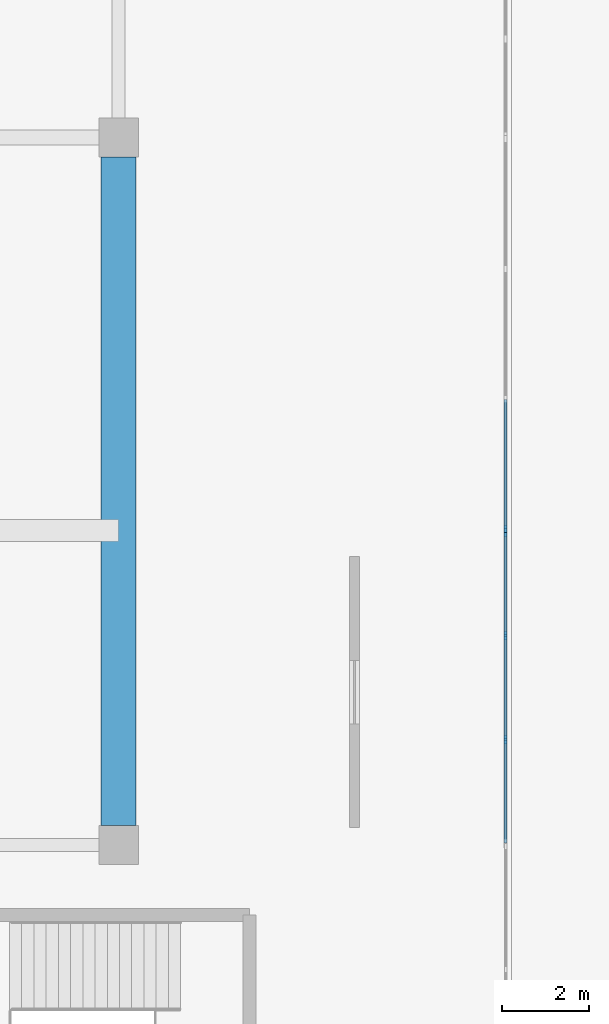
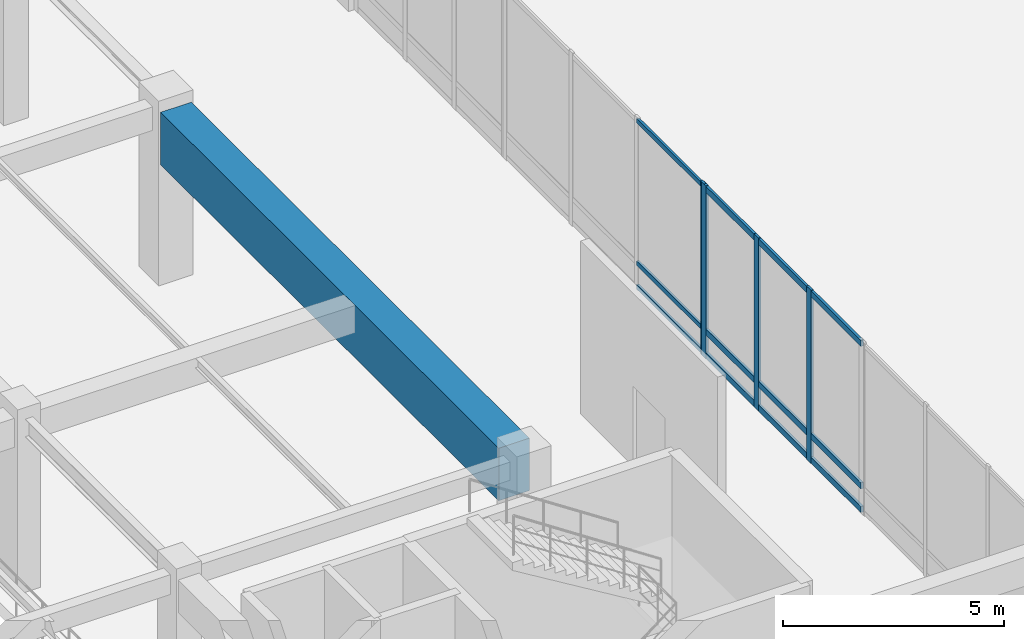
# One storey, part 10 of 64: 16 members, 1 beam, 2 elements without a shape of their own.
"""IFC4 building model written with IfcOpenShell, lengths in metres."""

import ifcopenshell
import ifcopenshell.guid

model = None  # the IFC model being written
_history = None  # IfcOwnerHistory: only IFC2X3 demands one
_inside = {}  # id of a spatial element -> (the spatial element, [elements in it])
_under = {}  # id of a project, library or spatial element -> (it, [spatial elements below it])
_declared = {}  # id of a project -> (the project, [libraries it declares])
_typed = {}  # id of a type object -> (the type object, [elements of that type])
_made_of = {}  # id of a material, layer set ... -> (it, [elements and type objects made of it])


def new_model(schema):
    """Start an empty IFC model of exactly this schema.

    Asked for "IFC4X3", IfcOpenShell would pick the latest addendum, in which some entities
    have other attributes; the version numbers below select the first issue.
    IFC2X3 requires an IfcOwnerHistory on every rooted entity: one is made here for all.
    """
    global model, _history
    if schema == "IFC4X3":
        model = ifcopenshell.file(schema_version=(4, 3, 0, 0))
    else:
        model = ifcopenshell.file(schema=schema)
    _inside.clear()
    _under.clear()
    _declared.clear()
    _typed.clear()
    _made_of.clear()
    _history = None
    if model.schema == "IFC2X3":
        org = make("IfcOrganization", Name="unknown")
        user = make(
            "IfcPersonAndOrganization",
            ThePerson=make("IfcPerson", FamilyName="unknown"),
            TheOrganization=org,
        )
        app = make(
            "IfcApplication",
            ApplicationDeveloper=org,
            Version="unknown",
            ApplicationFullName="unknown",
            ApplicationIdentifier="unknown",
        )
        _history = make(
            "IfcOwnerHistory",
            OwningUser=user,
            OwningApplication=app,
            ChangeAction="ADDED",
            CreationDate=0,
        )
    return model


def make(cls, **values):
    """One entity of the class cls with the attributes given. An attribute that is None is left unset."""
    return model.create_entity(
        cls, **{name: value for name, value in values.items() if value is not None}
    )


def rooted(cls, **values):
    """An entity with a GlobalId (a new one), such as an element, a storey or a relation."""
    return make(cls, GlobalId=ifcopenshell.guid.new(), OwnerHistory=_history, **values)


def si_unit(unit_type, name, prefix=None):
    """IfcSIUnit, for example si_unit("LENGTHUNIT", "METRE", prefix="MILLI")."""
    return make("IfcSIUnit", UnitType=unit_type, Prefix=prefix, Name=name)


def assignment(units):
    """IfcUnitAssignment: the units of a project."""
    return None if units is None else make("IfcUnitAssignment", Units=units)


def point(xyz):
    """IfcCartesianPoint."""
    return None if xyz is None else make("IfcCartesianPoint", Coordinates=xyz)


def direction(xyz):
    """IfcDirection."""
    return None if xyz is None else make("IfcDirection", DirectionRatios=xyz)


def frame(location, z_axis=None, x_axis=None):
    """IfcAxis2Placement3D, a coordinate frame: its origin and axes. An axis left out is left unset."""
    return make(
        "IfcAxis2Placement3D",
        Location=point(location),
        Axis=direction(z_axis),
        RefDirection=direction(x_axis),
    )


def frame_2d(location, x_axis=None):
    """IfcAxis2Placement2D, a coordinate frame in the plane: its origin and x axis."""
    return make(
        "IfcAxis2Placement2D", Location=point(location), RefDirection=direction(x_axis)
    )


def origin():
    """The frame at (0, 0, 0) with its axes left unset."""
    return frame((0.0, 0.0, 0.0))


def origin_2d():
    """The frame at (0, 0) in the plane with its x axis left unset."""
    return frame_2d((0.0, 0.0))


def place(relative_to, where):
    """IfcLocalPlacement: puts the frame where relative to a parent placement (None: the world)."""
    return make(
        "IfcLocalPlacement", PlacementRelTo=relative_to, RelativePlacement=where
    )


def context(
    kind, dimensions, precision=None, world=None, true_north=None, identifier=None
):
    """IfcGeometricRepresentationContext, for example the 3D "Model" context."""
    return make(
        "IfcGeometricRepresentationContext",
        ContextIdentifier=identifier,
        ContextType=kind,
        CoordinateSpaceDimension=dimensions,
        Precision=precision,
        WorldCoordinateSystem=world,
        TrueNorth=true_north,
    )


def subcontext(parent, identifier, kind, view, scale=None):
    """IfcGeometricRepresentationSubContext, for example "Body" below "Model"."""
    return make(
        "IfcGeometricRepresentationSubContext",
        ContextIdentifier=identifier,
        ContextType=kind,
        ParentContext=parent,
        TargetScale=scale,
        TargetView=view,
    )


def project(units=None, contexts=None):
    """IfcProject with its units and contexts."""
    return rooted(
        "IfcProject",
        Name="project",
        RepresentationContexts=contexts,
        UnitsInContext=assignment(units),
    )


def spatial(cls, under=None, at=None, **own):
    """A site, building, storey or space (cls), placed at a placement, below another one or the project."""
    s = rooted(cls, ObjectPlacement=at, **own)
    if under is not None:
        _under.setdefault(under.id(), (under, []))[1].append(s)
    return s


def profile(cls, at=None, kind="AREA", **sizes):
    """A parametric profile (cls). Its sizes go by their IFC names, for example OverallWidth=200.0."""
    return make(cls, ProfileType=kind, Position=at, **sizes)


def rectangle(**sizes):
    """IfcRectangleProfileDef."""
    return profile("IfcRectangleProfileDef", **sizes)


def extrude(swept, where, along, depth):
    """IfcExtrudedAreaSolid: the profile swept, set in the frame where, extruded along a direction by depth."""
    return make(
        "IfcExtrudedAreaSolid",
        SweptArea=swept,
        Position=where,
        ExtrudedDirection=direction(along),
        Depth=depth,
    )


def shape(context_of_items, identifier, shape_type, items):
    """IfcShapeRepresentation: the items that make up one representation, for example the "Body"."""
    return make(
        "IfcShapeRepresentation",
        ContextOfItems=context_of_items,
        RepresentationIdentifier=identifier,
        RepresentationType=shape_type,
        Items=items,
    )


def material(Name=None, Category=None):
    """IfcMaterial."""
    return make("IfcMaterial", Name=Name, Category=Category)


def material_profile(
    of_material, cross_section, Name=None, Category=None, Priority=None
):
    """IfcMaterialProfile: a cross section and its material."""
    return make(
        "IfcMaterialProfile",
        Name=Name,
        Material=of_material,
        Profile=cross_section,
        Priority=Priority,
        Category=Category,
    )


def profile_set(profiles, Name=None, composite=None):
    """IfcMaterialProfileSet."""
    return make(
        "IfcMaterialProfileSet",
        Name=Name,
        MaterialProfiles=profiles,
        CompositeProfile=composite,
    )


def made_of(thing, what):
    """Note that an element or type object is made of a material, layer set ...; save() writes the relation."""
    if what is not None:
        _made_of.setdefault(what.id(), (what, []))[1].append(thing)
    return thing


def type_object(cls, material=None, **own):
    """A type object (cls), such as IfcWallType, which elements share."""
    return made_of(rooted(cls, **own), material)


def element(
    cls,
    number,
    at=None,
    inside=None,
    cuts=None,
    type_object=None,
    material=None,
    context=None,
    identifier="Body",
    shape_type=None,
    held_by="IfcProductDefinitionShape",
    body=None,
    shapes=None,
    **own,
):
    """One element of the class cls, such as IfcWall. Its Tag is "e" and its number.

    at: its placement. inside: the storey or other place that contains it. cuts: it is an
    opening in that element (IfcRelVoidsElement). A single representation is given by context,
    identifier, shape_type and body (its items); several are given by shapes. held_by: the class
    of the entity that holds the representations. save() writes the other relations.
    """
    e = rooted(cls, Tag="e%d" % number, ObjectPlacement=at, **own)
    if body is not None:
        shapes = [shape(context, identifier, shape_type, body)]
    if shapes is not None:
        e.Representation = make(held_by, Representations=shapes)
    if inside is not None:
        _inside.setdefault(inside.id(), (inside, []))[1].append(e)
    if cuts is not None:
        rooted(
            "IfcRelVoidsElement", RelatingBuildingElement=cuts, RelatedOpeningElement=e
        )
    if type_object is not None:
        _typed.setdefault(type_object.id(), (type_object, []))[1].append(e)
    return made_of(e, material)


def aggregate(whole, parts):
    """IfcRelAggregates: a whole, such as a stair, and the parts it consists of."""
    return rooted("IfcRelAggregates", RelatingObject=whole, RelatedObjects=parts)


def save(model, path):
    """Write the relations noted so far, then the file.

    IfcRelAggregates (storeys below a building ...), IfcRelContainedInSpatialStructure (elements
    in a storey), IfcRelDefinesByType, IfcRelAssociatesMaterial and IfcRelDeclares: one each for
    every whole, place, type object, material and project.
    """
    for whole, parts in _under.values():
        aggregate(whole, parts)
    for where, things in _inside.values():
        rooted(
            "IfcRelContainedInSpatialStructure",
            RelatedElements=things,
            RelatingStructure=where,
        )
    for kind, things in _typed.values():
        rooted("IfcRelDefinesByType", RelatedObjects=things, RelatingType=kind)
    for what, things in _made_of.values():
        rooted("IfcRelAssociatesMaterial", RelatedObjects=things, RelatingMaterial=what)
    for by, libraries in _declared.values():
        rooted("IfcRelDeclares", RelatingContext=by, RelatedDefinitions=libraries)
    model.write(path)


model = new_model("IFC4")

# Units and contexts
model_context = context("Model", 3, precision=1e-05, world=origin(), true_north=direction((0.0, 1.0)))
body_context = subcontext(model_context, "Body", "Model", "MODEL_VIEW")
ifc_project = project(units=[si_unit("LENGTHUNIT", "METRE"), si_unit("AREAUNIT", "SQUARE_METRE"), si_unit("VOLUMEUNIT", "CUBIC_METRE"), si_unit("PLANEANGLEUNIT", "RADIAN"), si_unit("MASSUNIT", "GRAM", prefix="KILO")], contexts=[model_context])

# Site, building, storey
site_placement = place(None, origin())
site = spatial("IfcSite", under=ifc_project, at=site_placement, CompositionType="ELEMENT")
building_placement = place(site_placement, origin())
building = spatial("IfcBuilding", under=site, at=building_placement, Name="Clarverna Civic Hall", CompositionType="ELEMENT")
storey_placement = place(building_placement, origin())
storey = spatial("IfcBuildingStorey", under=building, at=storey_placement, Name="L00", CompositionType="ELEMENT", Elevation=0.0)

# Curtain wall, member
ifc_material_1 = material(Name="Anodised Bronze Architectural Aluminium", Category="aluminium")
curtain_wall_type = type_object("IfcCurtainWallType", Name="CW-04", PredefinedType="USERDEFINED", material=ifc_material_1)
curtain_wall_1_placement = place(storey_placement, origin())
curtain_wall_1 = element("IfcCurtainWall", 1, at=curtain_wall_1_placement, inside=storey, type_object=curtain_wall_type, Name="CW-04-015", ObjectType="UNITISED CURTAIN WALL", PredefinedType="USERDEFINED")
ifc_material_profile_1 = material_profile(ifc_material_1, rectangle(XDim=0.06005859375, YDim=0.159912109375, at=origin_2d()), Name="BRONZE 60x160")
ifc_profile_set_1 = profile_set([ifc_material_profile_1], Name="Anodised Bronze Architectural Aluminium")
member_type_1 = type_object("IfcMemberType", Name="CWM-02", PredefinedType="MULLION", material=ifc_profile_set_1)
member_1_placement = place(storey_placement, frame((25.06005859375, 30.23291015625, 0.0), z_axis=(0.0, 0.0, 1.0), x_axis=(1.0, 0.0, 0.0)))
member_1 = element("IfcMember", 2, at=member_1_placement, type_object=member_type_1, Name="CWM-02-036", PredefinedType="MULLION", context=body_context, shape_type="SweptSolid", body=[
    extrude(rectangle(XDim=0.06005859375, YDim=0.159912109375, at=origin_2d()), origin(), (0.0, 0.0, 1.0), 4.780029296875),
])

# Curtain wall, members
curtain_wall_2_placement = place(storey_placement, origin())
curtain_wall_2 = element("IfcCurtainWall", 3, at=curtain_wall_2_placement, inside=storey, type_object=curtain_wall_type, Name="CW-04-016", ObjectType="UNITISED CURTAIN WALL", PredefinedType="USERDEFINED")
ifc_material_profile_2 = material_profile(ifc_material_1, rectangle(XDim=0.06494140625, YDim=0.199951171875, at=origin_2d()), Name="BRONZE 65x200")
ifc_profile_set_2 = profile_set([ifc_material_profile_2], Name="Anodised Bronze Architectural Aluminium")
member_type_2 = type_object("IfcMemberType", Name="CWM-03", PredefinedType="MULLION", material=ifc_profile_set_2)
member_2_placement = place(storey_placement, frame((25.06005859375, 30.1669921875, 0.0), z_axis=(0.0, 0.0, 1.0), x_axis=(1.0, 0.0, 0.0)))
member_2 = element("IfcMember", 4, at=member_2_placement, type_object=member_type_2, Name="CWM-03-034", PredefinedType="MULLION", context=body_context, shape_type="SweptSolid", body=[
    extrude(rectangle(XDim=0.06494140625, YDim=0.199951171875, at=origin_2d()), origin(), (0.0, 0.0, 1.0), 4.780029296875),
])
member_3_placement = place(storey_placement, frame((25.06005859375, 27.7890625, 0.0), z_axis=(0.0, 0.0, 1.0), x_axis=(1.0, 0.0, 0.0)))
member_3 = element("IfcMember", 5, at=member_3_placement, type_object=member_type_2, Name="CWM-03-035", PredefinedType="MULLION", context=body_context, shape_type="SweptSolid", body=[
    extrude(rectangle(XDim=0.06494140625, YDim=0.199951171875, at=origin_2d()), origin(), (0.0, 0.0, 1.0), 4.780029296875),
])
member_4_placement = place(storey_placement, frame((25.06005859375, 25.410888671875, 0.0), z_axis=(0.0, 0.0, 1.0), x_axis=(1.0, 0.0, 0.0)))
member_4 = element("IfcMember", 6, at=member_4_placement, type_object=member_type_2, Name="CWM-03-036", PredefinedType="MULLION", context=body_context, shape_type="SweptSolid", body=[
    extrude(rectangle(XDim=0.06494140625, YDim=0.199951171875, at=origin_2d()), origin(), (0.0, 0.0, 1.0), 4.780029296875),
])

# Member
ifc_material_profile_3 = material_profile(ifc_material_1, rectangle(XDim=0.06005859375, YDim=0.1298828125, at=origin_2d()), Name="BRONZE 60x130")
ifc_profile_set_3 = profile_set([ifc_material_profile_3], Name="Anodised Bronze Architectural Aluminium")
member_type_3 = type_object("IfcMemberType", Name="CWT-02", PredefinedType="USERDEFINED", material=ifc_profile_set_3)
member_5_placement = place(storey_placement, frame((25.06005859375, 33.196044921875, 0.094970703125), z_axis=(0.0, -1.0, 0.0), x_axis=(1.0, 0.0, 0.0)))
member_5 = element("IfcMember", 7, at=member_5_placement, type_object=member_type_3, Name="CWT-02-073", ObjectType="TRANSOM", PredefinedType="USERDEFINED", context=body_context, shape_type="SweptSolid", body=[
    extrude(rectangle(XDim=0.06005859375, YDim=0.1298828125, at=origin_2d()), origin(), (0.0, 0.0, 1.0), 2.947998046875),
])

member_6_placement = place(storey_placement, frame((25.06005859375, 33.196044921875, 0.75), z_axis=(0.0, -1.0, 0.0), x_axis=(1.0, 0.0, 0.0)))
member_6 = element("IfcMember", 8, at=member_6_placement, type_object=member_type_3, Name="CWT-02-074", ObjectType="TRANSOM", PredefinedType="USERDEFINED", context=body_context, shape_type="SweptSolid", body=[
    extrude(rectangle(XDim=0.06005859375, YDim=0.1298828125, at=origin_2d()), origin(), (0.0, 0.0, 1.0), 2.947998046875),
])

member_7_placement = place(storey_placement, frame((25.06005859375, 33.196044921875, 4.68505859375), z_axis=(0.0, -1.0, 0.0), x_axis=(1.0, 0.0, 0.0)))
member_7 = element("IfcMember", 9, at=member_7_placement, type_object=member_type_3, Name="CWT-02-075", ObjectType="TRANSOM", PredefinedType="USERDEFINED", context=body_context, shape_type="SweptSolid", body=[
    extrude(rectangle(XDim=0.06005859375, YDim=0.1298828125, at=origin_2d()), origin(), (0.0, 0.0, 1.0), 2.947998046875),
])

aggregate(curtain_wall_1, [member_1, member_5, member_6, member_7])

ifc_material_profile_4 = material_profile(ifc_material_1, rectangle(XDim=0.06494140625, YDim=0.169921875, at=origin_2d()), Name="BRONZE 65x170")
ifc_profile_set_4 = profile_set([ifc_material_profile_4], Name="Anodised Bronze Architectural Aluminium")
member_type_4 = type_object("IfcMemberType", Name="CWT-03", PredefinedType="USERDEFINED", material=ifc_profile_set_4)
member_8_placement = place(storey_placement, frame((25.06005859375, 30.152099609375, 0.094970703125), z_axis=(0.0, -1.0, 0.0), x_axis=(1.0, 0.0, 0.0)))
member_8 = element("IfcMember", 10, at=member_8_placement, type_object=member_type_4, Name="CWT-03-070", ObjectType="TRANSOM", PredefinedType="USERDEFINED", context=body_context, shape_type="SweptSolid", body=[
    extrude(rectangle(XDim=0.06494140625, YDim=0.169921875, at=origin_2d()), origin(), (0.0, 0.0, 1.0), 2.34814453125),
])

member_9_placement = place(storey_placement, frame((25.06005859375, 30.152099609375, 0.75), z_axis=(0.0, -1.0, 0.0), x_axis=(1.0, 0.0, 0.0)))
member_9 = element("IfcMember", 11, at=member_9_placement, type_object=member_type_4, Name="CWT-03-071", ObjectType="TRANSOM", PredefinedType="USERDEFINED", context=body_context, shape_type="SweptSolid", body=[
    extrude(rectangle(XDim=0.06494140625, YDim=0.169921875, at=origin_2d()), origin(), (0.0, 0.0, 1.0), 2.34814453125),
])

member_10_placement = place(storey_placement, frame((25.06005859375, 30.152099609375, 4.68505859375), z_axis=(0.0, -1.0, 0.0), x_axis=(1.0, 0.0, 0.0)))
member_10 = element("IfcMember", 12, at=member_10_placement, type_object=member_type_4, Name="CWT-03-072", ObjectType="TRANSOM", PredefinedType="USERDEFINED", context=body_context, shape_type="SweptSolid", body=[
    extrude(rectangle(XDim=0.06494140625, YDim=0.169921875, at=origin_2d()), origin(), (0.0, 0.0, 1.0), 2.34814453125),
])

member_11_placement = place(storey_placement, frame((25.06005859375, 27.77392578125, 0.094970703125), z_axis=(0.0, -1.0, 0.0), x_axis=(1.0, 0.0, 0.0)))
member_11 = element("IfcMember", 13, at=member_11_placement, type_object=member_type_4, Name="CWT-03-073", ObjectType="TRANSOM", PredefinedType="USERDEFINED", context=body_context, shape_type="SweptSolid", body=[
    extrude(rectangle(XDim=0.06494140625, YDim=0.169921875, at=origin_2d()), origin(), (0.0, 0.0, 1.0), 2.347900390625),
])

member_12_placement = place(storey_placement, frame((25.06005859375, 27.77392578125, 0.75), z_axis=(0.0, -1.0, 0.0), x_axis=(1.0, 0.0, 0.0)))
member_12 = element("IfcMember", 14, at=member_12_placement, type_object=member_type_4, Name="CWT-03-074", ObjectType="TRANSOM", PredefinedType="USERDEFINED", context=body_context, shape_type="SweptSolid", body=[
    extrude(rectangle(XDim=0.06494140625, YDim=0.169921875, at=origin_2d()), origin(), (0.0, 0.0, 1.0), 2.347900390625),
])

member_13_placement = place(storey_placement, frame((25.06005859375, 27.77392578125, 4.68505859375), z_axis=(0.0, -1.0, 0.0), x_axis=(1.0, 0.0, 0.0)))
member_13 = element("IfcMember", 15, at=member_13_placement, type_object=member_type_4, Name="CWT-03-075", ObjectType="TRANSOM", PredefinedType="USERDEFINED", context=body_context, shape_type="SweptSolid", body=[
    extrude(rectangle(XDim=0.06494140625, YDim=0.169921875, at=origin_2d()), origin(), (0.0, 0.0, 1.0), 2.347900390625),
])

member_14_placement = place(storey_placement, frame((25.06005859375, 25.39599609375, 0.094970703125), z_axis=(0.0, -1.0, 0.0), x_axis=(1.0, 0.0, 0.0)))
member_14 = element("IfcMember", 16, at=member_14_placement, type_object=member_type_4, Name="CWT-03-076", ObjectType="TRANSOM", PredefinedType="USERDEFINED", context=body_context, shape_type="SweptSolid", body=[
    extrude(rectangle(XDim=0.06494140625, YDim=0.169921875, at=origin_2d()), origin(), (0.0, 0.0, 1.0), 2.347900390625),
])

member_15_placement = place(storey_placement, frame((25.06005859375, 25.39599609375, 0.75), z_axis=(0.0, -1.0, 0.0), x_axis=(1.0, 0.0, 0.0)))
member_15 = element("IfcMember", 17, at=member_15_placement, type_object=member_type_4, Name="CWT-03-077", ObjectType="TRANSOM", PredefinedType="USERDEFINED", context=body_context, shape_type="SweptSolid", body=[
    extrude(rectangle(XDim=0.06494140625, YDim=0.169921875, at=origin_2d()), origin(), (0.0, 0.0, 1.0), 2.347900390625),
])

member_16_placement = place(storey_placement, frame((25.06005859375, 25.39599609375, 4.68505859375), z_axis=(0.0, -1.0, 0.0), x_axis=(1.0, 0.0, 0.0)))
member_16 = element("IfcMember", 18, at=member_16_placement, type_object=member_type_4, Name="CWT-03-078", ObjectType="TRANSOM", PredefinedType="USERDEFINED", context=body_context, shape_type="SweptSolid", body=[
    extrude(rectangle(XDim=0.06494140625, YDim=0.169921875, at=origin_2d()), origin(), (0.0, 0.0, 1.0), 2.347900390625),
])

aggregate(curtain_wall_2, [member_2, member_3, member_4, member_8, member_9, member_10, member_11, member_12, member_13, member_14, member_15, member_16])

# Beam
ifc_material_2 = material(Name="Concrete C40/50", Category="concrete")
ifc_material_profile_5 = material_profile(ifc_material_2, rectangle(XDim=0.800048828125, YDim=1.449951171875, at=origin_2d()), Name="RC 800x1450")
ifc_profile_set_5 = profile_set([ifc_material_profile_5], Name="Concrete C40/50")
beam_type = type_object("IfcBeamType", Name="TG-04", PredefinedType="USERDEFINED", material=ifc_profile_set_5)
beam_placement = place(storey_placement, frame((16.199951171875, 23.449951171875, 4.054931640625), z_axis=(0.0, 1.0, 0.0), x_axis=(-1.0, 0.0, 0.0)))
element("IfcBeam", 19, at=beam_placement, inside=storey, type_object=beam_type, Name="Concrete Transfer Girder TG-04", ObjectType="TRANSFER GIRDER", PredefinedType="USERDEFINED", context=body_context, shape_type="SweptSolid", body=[
    extrude(rectangle(XDim=0.800048828125, YDim=1.449951171875, at=origin_2d()), origin(), (0.0, 0.0, 1.0), 15.300048828125),
])

save(model, "model.ifc")
